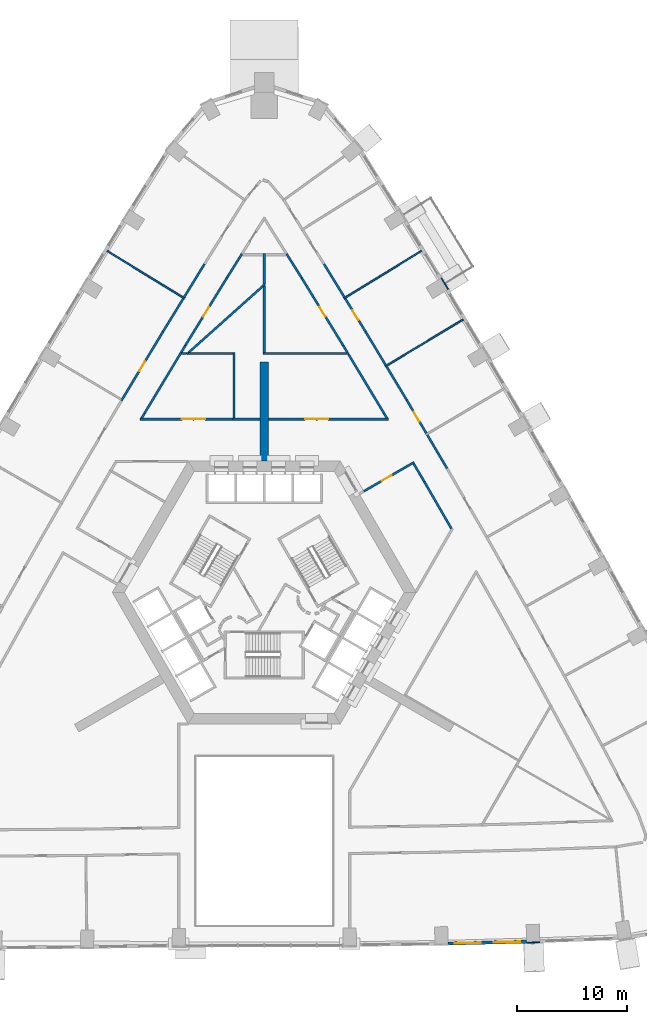
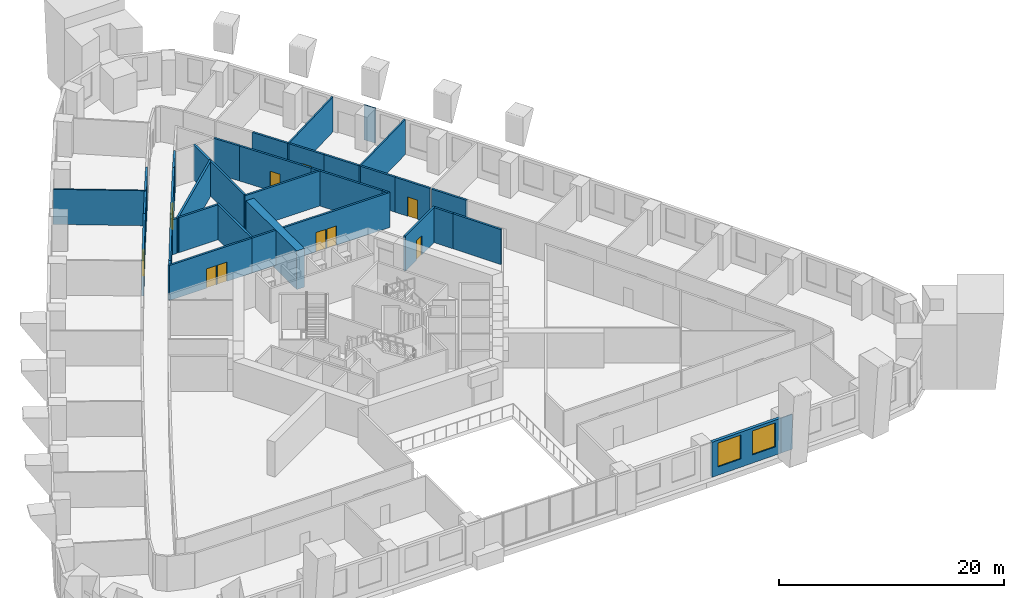
# One storey, part 9 of 17: 39 walls, 10 doors, 2 windows, 12 openings.
"""IFC4 building model written with IfcOpenShell, lengths in metres."""

from ifc_helpers import new_model, si_unit, direction, frame, frame_2d, origin, place, context, subcontext, project, spatial, rectangle, extrude, material, layer, layer_set, type_object, element, fill, save


model = new_model("IFC4")

# Units and contexts
model_context = context("Model", 3, precision=1e-05, world=origin(), true_north=direction((0.0, 1.0)))
body_context = subcontext(model_context, "Body", "Model", "MODEL_VIEW")
ifc_project = project(units=[si_unit("LENGTHUNIT", "METRE"), si_unit("AREAUNIT", "SQUARE_METRE"), si_unit("VOLUMEUNIT", "CUBIC_METRE"), si_unit("PLANEANGLEUNIT", "RADIAN"), si_unit("MASSUNIT", "GRAM", prefix="KILO")], contexts=[model_context])

# Site, building, storey
site_placement = place(None, origin())
site = spatial("IfcSite", under=ifc_project, at=site_placement, CompositionType="ELEMENT")
building_placement = place(site_placement, origin())
building = spatial("IfcBuilding", under=site, at=building_placement, Name="Entoto Arch Interchange Tower", CompositionType="ELEMENT")
storey_placement = place(building_placement, frame((0.0, 0.0, 72.800048828125)))
storey = spatial("IfcBuildingStorey", under=building, at=storey_placement, Name="L15", CompositionType="ELEMENT", Elevation=72.800048828125)

# Walls
ifc_material_1 = material(Name="Concrete C60/75", Category="concrete")
ifc_layer_1 = layer(ifc_material_1, 0.800048828125)
ifc_layer_set_1 = layer_set([ifc_layer_1], Name="Concrete C60/75")
wall_type_1 = type_object("IfcWallType", Name="Buttress wall 800 C60/75", PredefinedType="SHEAR", material=ifc_layer_set_1)
wall_1_placement = place(storey_placement, frame((0.0, 14.5, -0.400146484375), z_axis=(0.0, 0.0, 1.0), x_axis=(0.0, 1.0, 0.0)))
element("IfcWall", 1, at=wall_1_placement, inside=storey, type_object=wall_type_1, Name="Buttress wall N L15", PredefinedType="SHEAR", context=body_context, shape_type="SweptSolid", body=[
    extrude(rectangle(XDim=9.0, YDim=0.800048828125, at=frame_2d((4.5, 0.0))), origin(), (0.0, 0.0, 1.0), 4.2001953125),
])
ifc_material_2 = material(Name="Gypsum board partition on steel studs", Category="steel")
ifc_layer_2 = layer(ifc_material_2, 0.14990234375)
ifc_layer_set_2 = layer_set([ifc_layer_2], Name="Gypsum board partition on steel studs")
wall_type_2 = type_object("IfcWallType", Name="PARTITION 150", PredefinedType="PARTITIONING", material=ifc_layer_set_2)
wall_2_placement = place(storey_placement, frame((11.031005859375, 23.113037109375, 0.0), z_axis=(0.0, 0.0, 1.0), x_axis=(0.856780947164, 0.515680529568, 0.0)))
element("IfcWall", 2, at=wall_2_placement, inside=storey, type_object=wall_type_2, Name="wall:L15:p138", PredefinedType="PARTITIONING", context=body_context, shape_type="SweptSolid", body=[
    extrude(rectangle(XDim=8.2998046875, YDim=0.14990234375, at=frame_2d((4.14990234375, 0.0))), origin(), (0.0, 0.0, 1.0), 3.800048828125),
])
for number, where, z_axis, x_axis, name in (
    (3, (7.262939453125, 29.31005859375, 0.0), (0.0, 0.0, 1.0), (0.85208929269, 0.523396443706, 0.0), "wall:L15:p139"),
    (4, (-7.262939453125, 29.31005859375, 0.0), (0.0, 0.0, 1.0), (-0.85208929269, 0.523396443706, 0.0), "wall:L15:p143"),
):
    element("IfcWall", number, at=place(storey_placement, frame(where, z_axis=z_axis, x_axis=x_axis)), inside=storey, type_object=wall_type_2, Name=name, PredefinedType="PARTITIONING", context=body_context, shape_type="SweptSolid", body=[
        extrude(rectangle(XDim=8.299560546875, YDim=0.14990234375, at=frame_2d((4.14990234375, 0.0))), origin(), (0.0, 0.0, 1.0), 3.800048828125),
    ])
ifc_layer_3 = layer(ifc_material_2, 0.199951171875)
ifc_layer_set_3 = layer_set([ifc_layer_3], Name="Gypsum board partition on steel studs")
wall_type_3 = type_object("IfcWallType", Name="PARTITION 200", PredefinedType="PARTITIONING", material=ifc_layer_set_3)
wall_3_placement = place(storey_placement, frame((17.06298828125, 8.327880859375, 0.0), z_axis=(0.0, 0.0, 1.0), x_axis=(-0.499986575203, 0.866033154456, 0.0)))
element("IfcWall", 5, at=wall_3_placement, inside=storey, type_object=wall_type_3, Name="wall:L15:p005", PredefinedType="PARTITIONING", context=body_context, shape_type="SweptSolid", body=[
    extrude(rectangle(XDim=4.934326171875, YDim=0.199951171875, at=frame_2d((2.46728515625, 0.0))), origin(), (0.0, 0.0, 1.0), 3.800048828125),
])
wall_4_placement = place(storey_placement, frame((14.595947265625, 12.60107421875, 0.0), z_axis=(0.0, 0.0, 1.0), x_axis=(-0.507547610008, 0.861623713447, 0.0)))
element("IfcWall", 6, at=wall_4_placement, inside=storey, type_object=wall_type_3, Name="wall:L15:p006", PredefinedType="PARTITIONING", context=body_context, shape_type="SweptSolid", body=[
    extrude(rectangle(XDim=1.90087890625, YDim=0.199951171875, at=frame_2d((0.950439453125, 0.0))), origin(), (0.0, 0.0, 1.0), 3.800048828125),
])

# Wall, opening, door
wall_5_placement = place(storey_placement, frame((13.6669921875, 14.375, 0.0), z_axis=(0.0, 0.0, 1.0), x_axis=(-0.866016748302, -0.500014991436, 0.0)))
wall_5 = element("IfcWall", 7, at=wall_5_placement, inside=storey, type_object=wall_type_3, Name="wall:L15:p007", PredefinedType="PARTITIONING", context=body_context, shape_type="SweptSolid", body=[
    extrude(rectangle(XDim=5.297607421875, YDim=0.199951171875, at=frame_2d((2.64892578125, 0.0))), origin(), (0.0, 0.0, 1.0), 3.800048828125),
])
opening_1_placement = place(wall_5_placement, frame((2.386962890625, 0.0, 0.0)))
opening_1 = element("IfcOpeningElement", 8, at=opening_1_placement, cuts=wall_5, Name="Opening L15-D32", PredefinedType="OPENING", context=body_context, shape_type="SweptSolid", body=[
    extrude(rectangle(XDim=1.0, YDim=2.10009765625, at=frame_2d((0.5, 1.050048828125))), frame((0.0, 0.10986328125, 0.0), z_axis=(0.0, -1.0, 0.0), x_axis=(1.0, 0.0, 0.0)), (0.0, 0.0, 1.0), 0.219970703125),
])
ifc_material_3 = material(Name="Timber door leaf in Steel S235 frame", Category="steel")
door_type = type_object("IfcDoorType", Name="DOOR DS-10 1000x2100", OperationType="SINGLE_SWING_LEFT", PredefinedType="DOOR", material=ifc_material_3)
door_1_placement = place(opening_1_placement, origin())
door_1 = element("IfcDoor", 9, at=door_1_placement, inside=storey, type_object=door_type, Name="door:L15:32", OperationType="SINGLE_SWING_LEFT", OverallHeight=2.10009765625, OverallWidth=1.0, PredefinedType="DOOR", context=body_context, shape_type="SweptSolid", body=[
    extrude(rectangle(XDim=1.0, YDim=2.10009765625, at=frame_2d((0.5, 1.050048828125))), frame((0.0, 0.02490234375, 0.0), z_axis=(0.0, -1.0, 0.0), x_axis=(1.0, 0.0, 0.0)), (0.0, 0.0, 1.0), 0.050048828125),
])
fill(opening_1, door_1)

# Walls
wall_6_placement = place(storey_placement, frame((11.18603515625, 18.385986328125, 0.0), z_axis=(0.0, 0.0, 1.0), x_axis=(-0.507247363226, 0.861800506208, 0.0)))
element("IfcWall", 10, at=wall_6_placement, inside=storey, type_object=wall_type_3, Name="wall:L15:p008", PredefinedType="PARTITIONING", context=body_context, shape_type="SweptSolid", body=[
    extrude(rectangle(XDim=0.516357421875, YDim=0.199951171875, at=frame_2d((0.25830078125, 0.0))), origin(), (0.0, 0.0, 1.0), 3.800048828125),
])
wall_7_placement = place(storey_placement, frame((10.924072265625, 18.8310546875, 0.0), z_axis=(0.0, 0.0, 1.0), x_axis=(-0.515797941416, 0.856710268195, 0.0)))
element("IfcWall", 11, at=wall_7_placement, inside=storey, type_object=wall_type_3, Name="wall:L15:p009", PredefinedType="PARTITIONING", context=body_context, shape_type="SweptSolid", body=[
    extrude(rectangle(XDim=6.283447265625, YDim=0.199951171875, at=frame_2d((3.1416015625, 0.0))), origin(), (0.0, 0.0, 1.0), 3.800048828125),
])
wall_8_placement = place(storey_placement, frame((-7.580078125, 24.385986328125, 0.0), z_axis=(0.0, 0.0, 1.0), x_axis=(-0.51574664882, -0.85674114774, 0.0)))
element("IfcWall", 12, at=wall_8_placement, inside=storey, type_object=wall_type_3, Name="wall:L15:p010", PredefinedType="PARTITIONING", context=body_context, shape_type="SweptSolid", body=[
    extrude(rectangle(XDim=6.48388671875, YDim=0.199951171875, at=frame_2d((3.241943359375, 0.0))), origin(), (0.0, 0.0, 1.0), 3.800048828125),
])
wall_9_placement = place(storey_placement, frame((-10.924072265625, 18.8310546875, 0.0), z_axis=(0.0, 0.0, 1.0), x_axis=(-0.507247363226, -0.861800506208, 0.0)))
element("IfcWall", 13, at=wall_9_placement, inside=storey, type_object=wall_type_3, Name="wall:L15:p011", PredefinedType="PARTITIONING", context=body_context, shape_type="SweptSolid", body=[
    extrude(rectangle(XDim=0.516357421875, YDim=0.199951171875, at=frame_2d((0.25830078125, 0.0))), origin(), (0.0, 0.0, 1.0), 3.800048828125),
])
wall_10_placement = place(storey_placement, frame((7.580078125, 24.385986328125, 0.0), z_axis=(0.0, 0.0, 1.0), x_axis=(-0.515748848873, 0.856739823334, 0.0)))
element("IfcWall", 14, at=wall_10_placement, inside=storey, type_object=wall_type_3, Name="wall:L15:p012", PredefinedType="PARTITIONING", context=body_context, shape_type="SweptSolid", body=[
    extrude(rectangle(XDim=0.74462890625, YDim=0.199951171875, at=frame_2d((0.372314453125, 0.0))), origin(), (0.0, 0.0, 1.0), 3.800048828125),
])

# Wall, opening, door
wall_11_placement = place(storey_placement, frame((7.196044921875, 25.02392578125, 0.0), z_axis=(0.0, 0.0, 1.0), x_axis=(-0.523464329994, 0.852047589765, 0.0)))
wall_11 = element("IfcWall", 15, at=wall_11_placement, inside=storey, type_object=wall_type_3, Name="wall:L15:p013", PredefinedType="PARTITIONING", context=body_context, shape_type="SweptSolid", body=[
    extrude(rectangle(XDim=7.23095703125, YDim=0.199951171875, at=frame_2d((3.615478515625, 0.0))), origin(), (0.0, 0.0, 1.0), 3.800048828125),
])
opening_2_placement = place(wall_11_placement, frame((3.114990234375, 0.0, 0.0)))
opening_2 = element("IfcOpeningElement", 16, at=opening_2_placement, cuts=wall_11, Name="Opening L15-D26", PredefinedType="OPENING", context=body_context, shape_type="SweptSolid", body=[
    extrude(rectangle(XDim=1.0, YDim=2.10009765625, at=frame_2d((0.5, 1.050048828125))), frame((0.0, 0.10986328125, 0.0), z_axis=(0.0, -1.0, 0.0), x_axis=(1.0, 0.0, 0.0)), (0.0, 0.0, 1.0), 0.219970703125),
])
door_2_placement = place(opening_2_placement, origin())
door_2 = element("IfcDoor", 17, at=door_2_placement, inside=storey, type_object=door_type, Name="door:L15:26", OperationType="SINGLE_SWING_LEFT", OverallHeight=2.10009765625, OverallWidth=1.0, PredefinedType="DOOR", context=body_context, shape_type="SweptSolid", body=[
    extrude(rectangle(XDim=1.0, YDim=2.10009765625, at=frame_2d((0.5, 1.050048828125))), frame((0.0, 0.02490234375, 0.0), z_axis=(0.0, -1.0, 0.0), x_axis=(1.0, 0.0, 0.0)), (0.0, 0.0, 1.0), 0.050048828125),
])
fill(opening_2, door_2)

# Walls
for number, where, z_axis, x_axis, name in (
    (18, (3.410888671875, 31.18505859375, 0.0), (0.0, 0.0, 1.0), (-0.531358798686, 0.84714687455, 0.0), "wall:L15:p014"),
    (19, (-2.031005859375, 33.385009765625, 0.0), (0.0, 0.0, 1.0), (-0.531358798686, -0.84714687455, 0.0), "wall:L15:p015"),
):
    element("IfcWall", number, at=place(storey_placement, frame(where, z_axis=z_axis, x_axis=x_axis)), inside=storey, type_object=wall_type_3, Name=name, PredefinedType="PARTITIONING", context=body_context, shape_type="SweptSolid", body=[
        extrude(rectangle(XDim=2.596923828125, YDim=0.199951171875, at=frame_2d((1.29833984375, 0.0))), origin(), (0.0, 0.0, 1.0), 3.800048828125),
    ])

# Wall, opening, door
wall_12_placement = place(storey_placement, frame((-3.410888671875, 31.18505859375, 0.0), z_axis=(0.0, 0.0, 1.0), x_axis=(-0.523464329994, -0.852047589765, 0.0)))
wall_12 = element("IfcWall", 20, at=wall_12_placement, inside=storey, type_object=wall_type_3, Name="wall:L15:p016", PredefinedType="PARTITIONING", context=body_context, shape_type="SweptSolid", body=[
    extrude(rectangle(XDim=7.23095703125, YDim=0.199951171875, at=frame_2d((3.615478515625, 0.0))), origin(), (0.0, 0.0, 1.0), 3.800048828125),
])
opening_3_placement = place(wall_12_placement, frame((3.114990234375, 0.0, 0.0)))
opening_3 = element("IfcOpeningElement", 21, at=opening_3_placement, cuts=wall_12, Name="Opening L15-D27", PredefinedType="OPENING", context=body_context, shape_type="SweptSolid", body=[
    extrude(rectangle(XDim=1.0, YDim=2.10009765625, at=frame_2d((0.5, 1.050048828125))), frame((0.0, 0.10986328125, 0.0), z_axis=(0.0, -1.0, 0.0), x_axis=(1.0, 0.0, 0.0)), (0.0, 0.0, 1.0), 0.219970703125),
])
door_3_placement = place(opening_3_placement, origin())
door_3 = element("IfcDoor", 22, at=door_3_placement, inside=storey, type_object=door_type, Name="door:L15:27", OperationType="SINGLE_SWING_LEFT", OverallHeight=2.10009765625, OverallWidth=1.0, PredefinedType="DOOR", context=body_context, shape_type="SweptSolid", body=[
    extrude(rectangle(XDim=1.0, YDim=2.10009765625, at=frame_2d((0.5, 1.050048828125))), frame((0.0, 0.02490234375, 0.0), z_axis=(0.0, -1.0, 0.0), x_axis=(1.0, 0.0, 0.0)), (0.0, 0.0, 1.0), 0.050048828125),
])
fill(opening_3, door_3)

# Walls
wall_13_placement = place(storey_placement, frame((-7.196044921875, 25.02392578125, 0.0), z_axis=(0.0, 0.0, 1.0), x_axis=(-0.515748848873, -0.856739823334, 0.0)))
element("IfcWall", 23, at=wall_13_placement, inside=storey, type_object=wall_type_3, Name="wall:L15:p017", PredefinedType="PARTITIONING", context=body_context, shape_type="SweptSolid", body=[
    extrude(rectangle(XDim=0.74462890625, YDim=0.199951171875, at=frame_2d((0.372314453125, 0.0))), origin(), (0.0, 0.0, 1.0), 3.800048828125),
])
wall_14_placement = place(storey_placement, frame((14.864990234375, 16.87109375, 0.0), z_axis=(0.0, 0.0, 1.0), x_axis=(0.507839876831, -0.861451484125, 0.0)))
element("IfcWall", 24, at=wall_14_placement, inside=storey, type_object=wall_type_3, Name="wall:L15:p048", PredefinedType="PARTITIONING", context=body_context, shape_type="SweptSolid", body=[
    extrude(rectangle(XDim=3.55224609375, YDim=0.199951171875, at=frame_2d((1.776123046875, 0.0))), origin(), (0.0, 0.0, 1.0), 3.800048828125),
])
wall_15_placement = place(storey_placement, frame((11.156005859375, 23.10009765625, 0.0), z_axis=(0.0, 0.0, 1.0), x_axis=(0.515628270719, -0.856812398623, 0.0)))
element("IfcWall", 25, at=wall_15_placement, inside=storey, type_object=wall_type_3, Name="wall:L15:p050", PredefinedType="PARTITIONING", context=body_context, shape_type="SweptSolid", body=[
    extrude(rectangle(XDim=3.54931640625, YDim=0.199951171875, at=frame_2d((1.774658203125, 0.0))), origin(), (0.0, 0.0, 1.0), 3.800048828125),
])

# Wall, opening, door
wall_16_placement = place(storey_placement, frame((12.986083984375, 20.05908203125, 0.0), z_axis=(0.0, 0.0, 1.0), x_axis=(0.507876424268, -0.861429937762, 0.0)))
wall_16 = element("IfcWall", 26, at=wall_16_placement, inside=storey, type_object=wall_type_3, Name="wall:L15:p051", PredefinedType="PARTITIONING", context=body_context, shape_type="SweptSolid", body=[
    extrude(rectangle(XDim=3.550048828125, YDim=0.199951171875, at=frame_2d((1.77490234375, 0.0))), origin(), (0.0, 0.0, 1.0), 3.800048828125),
])
opening_4_placement = place(wall_16_placement, frame((1.27490234375, 0.0, 0.0)))
opening_4 = element("IfcOpeningElement", 27, at=opening_4_placement, cuts=wall_16, Name="Opening L15-D07", PredefinedType="OPENING", context=body_context, shape_type="SweptSolid", body=[
    extrude(rectangle(XDim=1.0, YDim=2.10009765625, at=frame_2d((0.5, 1.050048828125))), frame((0.0, 0.10986328125, 0.0), z_axis=(0.0, -1.0, 0.0), x_axis=(1.0, 0.0, 0.0)), (0.0, 0.0, 1.0), 0.219970703125),
])
door_4_placement = place(opening_4_placement, origin())
door_4 = element("IfcDoor", 28, at=door_4_placement, inside=storey, type_object=door_type, Name="door:L15:07", OperationType="SINGLE_SWING_RIGHT", OverallHeight=2.10009765625, OverallWidth=1.0, PredefinedType="DOOR", context=body_context, shape_type="SweptSolid", body=[
    extrude(rectangle(XDim=1.0, YDim=2.10009765625, at=frame_2d((0.5, 1.050048828125))), frame((0.0, 0.02490234375, 0.0), z_axis=(0.0, -1.0, 0.0), x_axis=(1.0, 0.0, 0.0)), (0.0, 0.0, 1.0), 0.050048828125),
])
fill(opening_4, door_4)

wall_17_placement = place(storey_placement, frame((7.386962890625, 29.298095703125, 0.0), z_axis=(0.0, 0.0, 1.0), x_axis=(0.523341833043, -0.852122834917, 0.0)))
wall_17 = element("IfcWall", 29, at=wall_17_placement, inside=storey, type_object=wall_type_3, Name="wall:L15:p052", PredefinedType="PARTITIONING", context=body_context, shape_type="SweptSolid", body=[
    extrude(rectangle(XDim=3.552490234375, YDim=0.199951171875, at=frame_2d((1.7763671875, 0.0))), origin(), (0.0, 0.0, 1.0), 3.800048828125),
])
opening_5_placement = place(wall_17_placement, frame((1.27587890625, 0.0, 0.0)))
opening_5 = element("IfcOpeningElement", 30, at=opening_5_placement, cuts=wall_17, Name="Opening L15-D08", PredefinedType="OPENING", context=body_context, shape_type="SweptSolid", body=[
    extrude(rectangle(XDim=1.0, YDim=2.10009765625, at=frame_2d((0.5, 1.050048828125))), frame((0.0, 0.10986328125, 0.0), z_axis=(0.0, -1.0, 0.0), x_axis=(1.0, 0.0, 0.0)), (0.0, 0.0, 1.0), 0.219970703125),
])
door_5_placement = place(opening_5_placement, origin())
door_5 = element("IfcDoor", 31, at=door_5_placement, inside=storey, type_object=door_type, Name="door:L15:08", OperationType="SINGLE_SWING_RIGHT", OverallHeight=2.10009765625, OverallWidth=1.0, PredefinedType="DOOR", context=body_context, shape_type="SweptSolid", body=[
    extrude(rectangle(XDim=1.0, YDim=2.10009765625, at=frame_2d((0.5, 1.050048828125))), frame((0.0, 0.02490234375, 0.0), z_axis=(0.0, -1.0, 0.0), x_axis=(1.0, 0.0, 0.0)), (0.0, 0.0, 1.0), 0.050048828125),
])
fill(opening_5, door_5)

# Walls
wall_18_placement = place(storey_placement, frame((9.24609375, 26.27099609375, 0.0), z_axis=(0.0, 0.0, 1.0), x_axis=(0.515738557296, -0.856746018677, 0.0)))
element("IfcWall", 32, at=wall_18_placement, inside=storey, type_object=wall_type_3, Name="wall:L15:p053", PredefinedType="PARTITIONING", context=body_context, shape_type="SweptSolid", body=[
    extrude(rectangle(XDim=3.5517578125, YDim=0.199951171875, at=frame_2d((1.77587890625, 0.0))), origin(), (0.0, 0.0, 1.0), 3.800048828125),
])
for number, where, z_axis, x_axis, name in (
    (33, (5.449951171875, 32.450927734375, 0.0), (0.0, 0.0, 1.0), (0.523617783711, -0.851953294836, 0.0), "wall:L15:p055"),
    (34, (-7.30908203125, 29.426025390625, 0.0), (0.0, 0.0, 1.0), (0.523617783711, 0.851953294836, 0.0), "wall:L15:p060"),
):
    element("IfcWall", number, at=place(storey_placement, frame(where, z_axis=z_axis, x_axis=x_axis)), inside=storey, type_object=wall_type_3, Name=name, PredefinedType="PARTITIONING", context=body_context, shape_type="SweptSolid", body=[
        extrude(rectangle(XDim=3.550537109375, YDim=0.199951171875, at=frame_2d((1.775390625, 0.0))), origin(), (0.0, 0.0, 1.0), 3.800048828125),
    ])

# Wall, opening, door
wall_19_placement = place(storey_placement, frame((-13.02490234375, 19.9951171875, 0.0), z_axis=(0.0, 0.0, 1.0), x_axis=(0.515828195336, 0.856692052546, 0.0)))
wall_19 = element("IfcWall", 35, at=wall_19_placement, inside=storey, type_object=wall_type_3, Name="wall:L15:p062", PredefinedType="PARTITIONING", context=body_context, shape_type="SweptSolid", body=[
    extrude(rectangle(XDim=7.32568359375, YDim=0.199951171875, at=frame_2d((3.662841796875, 0.0))), origin(), (0.0, 0.0, 1.0), 3.800048828125),
])
opening_6_placement = place(wall_19_placement, frame((3.1630859375, 0.0, 0.0)))
opening_6 = element("IfcOpeningElement", 36, at=opening_6_placement, cuts=wall_19, Name="Opening L15-D13", PredefinedType="OPENING", context=body_context, shape_type="SweptSolid", body=[
    extrude(rectangle(XDim=1.0, YDim=2.10009765625, at=frame_2d((0.5, 1.050048828125))), frame((0.0, 0.10986328125, 0.0), z_axis=(0.0, -1.0, 0.0), x_axis=(1.0, 0.0, 0.0)), (0.0, 0.0, 1.0), 0.219970703125),
])
door_6_placement = place(opening_6_placement, origin())
door_6 = element("IfcDoor", 37, at=door_6_placement, inside=storey, type_object=door_type, Name="door:L15:13", OperationType="SINGLE_SWING_LEFT", OverallHeight=2.10009765625, OverallWidth=1.0, PredefinedType="DOOR", context=body_context, shape_type="SweptSolid", body=[
    extrude(rectangle(XDim=1.0, YDim=2.10009765625, at=frame_2d((0.5, 1.050048828125))), frame((0.0, 0.02490234375, 0.0), z_axis=(0.0, -1.0, 0.0), x_axis=(1.0, 0.0, 0.0)), (0.0, 0.0, 1.0), 0.050048828125),
])
fill(opening_6, door_6)

# Walls
wall_20_placement = place(storey_placement, frame((-9.24609375, 26.27099609375, 0.0), z_axis=(0.0, 0.0, 1.0), x_axis=(0.523341833043, 0.852122834917, 0.0)))
element("IfcWall", 38, at=wall_20_placement, inside=storey, type_object=wall_type_3, Name="wall:L15:p063", PredefinedType="PARTITIONING", context=body_context, shape_type="SweptSolid", body=[
    extrude(rectangle(XDim=3.552490234375, YDim=0.199951171875, at=frame_2d((1.7763671875, 0.0))), origin(), (0.0, 0.0, 1.0), 3.800048828125),
])
wall_21_placement = place(storey_placement, frame((-2.87109375, 18.300048828125, 0.0), z_axis=(0.0, 0.0, 1.0), x_axis=(1.0, 0.0, 0.0)))
element("IfcWall", 39, at=wall_21_placement, inside=storey, type_object=wall_type_3, Name="wall:L15:p114", PredefinedType="PARTITIONING", context=body_context, shape_type="SweptSolid", body=[
    extrude(rectangle(XDim=2.47119140625, YDim=0.199951171875, at=frame_2d((1.235595703125, 0.0))), origin(), (0.0, 0.0, 1.0), 3.800048828125),
])

# Wall, openings, doors
wall_22_placement = place(storey_placement, frame((-11.3369140625, 18.300048828125, 0.0), z_axis=(0.0, 0.0, 1.0), x_axis=(1.0, 0.0, 0.0)))
wall_22 = element("IfcWall", 40, at=wall_22_placement, inside=storey, type_object=wall_type_3, Name="wall:L15:p115", PredefinedType="PARTITIONING", context=body_context, shape_type="SweptSolid", body=[
    extrude(rectangle(XDim=8.4658203125, YDim=0.199951171875, at=frame_2d((4.23291015625, 0.0))), origin(), (0.0, 0.0, 1.0), 3.800048828125),
])
opening_7_placement = place(wall_22_placement, frame((3.8330078125, 0.0, 0.0)))
opening_7 = element("IfcOpeningElement", 41, at=opening_7_placement, cuts=wall_22, Name="Opening L15-D25", PredefinedType="OPENING", context=body_context, shape_type="SweptSolid", body=[
    extrude(rectangle(XDim=1.0, YDim=2.10009765625, at=frame_2d((0.5, 1.050048828125))), frame((0.0, 0.10986328125, 0.0), z_axis=(0.0, -1.0, 0.0), x_axis=(1.0, 0.0, 0.0)), (0.0, 0.0, 1.0), 0.219970703125),
])
opening_8_placement = place(wall_22_placement, frame((4.93310546875, 0.0, 0.0)))
opening_8 = element("IfcOpeningElement", 42, at=opening_8_placement, cuts=wall_22, Name="Opening L15-D38", PredefinedType="OPENING", context=body_context, shape_type="SweptSolid", body=[
    extrude(rectangle(XDim=1.0, YDim=2.10009765625, at=frame_2d((0.5, 1.050048828125))), frame((0.0, 0.10986328125, 0.0), z_axis=(0.0, -1.0, 0.0), x_axis=(1.0, 0.0, 0.0)), (0.0, 0.0, 1.0), 0.219970703125),
])
door_7_placement = place(opening_7_placement, origin())
door_7 = element("IfcDoor", 43, at=door_7_placement, inside=storey, type_object=door_type, Name="door:L15:25", OperationType="SINGLE_SWING_RIGHT", OverallHeight=2.10009765625, OverallWidth=1.0, PredefinedType="DOOR", context=body_context, shape_type="SweptSolid", body=[
    extrude(rectangle(XDim=1.0, YDim=2.10009765625, at=frame_2d((0.5, 1.050048828125))), frame((0.0, 0.02490234375, 0.0), z_axis=(0.0, -1.0, 0.0), x_axis=(1.0, 0.0, 0.0)), (0.0, 0.0, 1.0), 0.050048828125),
])
fill(opening_7, door_7)
door_8_placement = place(opening_8_placement, origin())
door_8 = element("IfcDoor", 44, at=door_8_placement, inside=storey, type_object=door_type, Name="door:L15:38", OperationType="SINGLE_SWING_RIGHT", OverallHeight=2.10009765625, OverallWidth=1.0, PredefinedType="DOOR", context=body_context, shape_type="SweptSolid", body=[
    extrude(rectangle(XDim=1.0, YDim=2.10009765625, at=frame_2d((0.5, 1.050048828125))), frame((0.0, 0.02490234375, 0.0), z_axis=(0.0, -1.0, 0.0), x_axis=(1.0, 0.0, 0.0)), (0.0, 0.0, 1.0), 0.050048828125),
])
fill(opening_8, door_8)

# Walls
wall_23_placement = place(storey_placement, frame((-2.77099609375, 18.39990234375, 0.0), z_axis=(0.0, 0.0, 1.0), x_axis=(0.0, 1.0, 0.0)))
element("IfcWall", 45, at=wall_23_placement, inside=storey, type_object=wall_type_3, Name="wall:L15:p118", PredefinedType="PARTITIONING", context=body_context, shape_type="SweptSolid", body=[
    extrude(rectangle(XDim=6.0, YDim=0.199951171875, at=frame_2d((3.0, 0.0))), origin(), (0.0, 0.0, 1.0), 3.800048828125),
])
wall_24_placement = place(storey_placement, frame((-2.87109375, 24.300048828125, 0.0), z_axis=(0.0, 0.0, 1.0), x_axis=(-1.0, 0.0, 0.0)))
element("IfcWall", 46, at=wall_24_placement, inside=storey, type_object=wall_type_3, Name="wall:L15:p119", PredefinedType="PARTITIONING", context=body_context, shape_type="SweptSolid", body=[
    extrude(rectangle(XDim=4.02001953125, YDim=0.199951171875, at=frame_2d((2.010009765625, 0.0))), origin(), (0.0, 0.0, 1.0), 3.800048828125),
])
wall_25_placement = place(storey_placement, frame((0.0, 30.451904296875, 0.0), z_axis=(0.0, 0.0, 1.0), x_axis=(0.0, -1.0, 0.0)))
element("IfcWall", 47, at=wall_25_placement, inside=storey, type_object=wall_type_3, Name="wall:L15:p120", PredefinedType="PARTITIONING", context=body_context, shape_type="SweptSolid", body=[
    extrude(rectangle(XDim=6.052001953125, YDim=0.199951171875, at=frame_2d((3.02587890625, 0.0))), origin(), (0.0, 0.0, 1.0), 3.800048828125),
])
wall_26_placement = place(storey_placement, frame((-0.10009765625, 24.300048828125, 0.0), z_axis=(0.0, 0.0, 1.0), x_axis=(1.0, 0.0, 0.0)))
element("IfcWall", 48, at=wall_26_placement, inside=storey, type_object=wall_type_3, Name="wall:L15:p121", PredefinedType="PARTITIONING", context=body_context, shape_type="SweptSolid", body=[
    extrude(rectangle(XDim=7.83203125, YDim=0.199951171875, at=frame_2d((3.916015625, 0.0))), origin(), (0.0, 0.0, 1.0), 3.800048828125),
])
wall_27_placement = place(storey_placement, frame((-7.06494140625, 24.23291015625, 0.0), z_axis=(0.0, 0.0, 1.0), x_axis=(0.745362618546, 0.666659258448, 0.0)))
element("IfcWall", 49, at=wall_27_placement, inside=storey, type_object=wall_type_3, Name="wall:L15:p122", PredefinedType="PARTITIONING", context=body_context, shape_type="SweptSolid", body=[
    extrude(rectangle(XDim=9.5791015625, YDim=0.199951171875, at=frame_2d((4.78955078125, 0.0))), origin(), (0.0, 0.0, 1.0), 3.800048828125),
])
wall_28_placement = place(storey_placement, frame((-7.531982421875, 24.300048828125, 0.0), z_axis=(0.0, 0.0, 1.0), x_axis=(1.0, 0.0, 0.0)))
element("IfcWall", 50, at=wall_28_placement, inside=storey, type_object=wall_type_3, Name="wall:L15:p123", PredefinedType="PARTITIONING", context=body_context, shape_type="SweptSolid", body=[
    extrude(rectangle(XDim=0.44091796875, YDim=0.199951171875, at=frame_2d((0.220458984375, 0.0))), origin(), (0.0, 0.0, 1.0), 3.800048828125),
])
wall_29_placement = place(storey_placement, frame((0.0, 30.652099609375, 0.0), z_axis=(0.0, 0.0, 1.0), x_axis=(0.0, 1.0, 0.0)))
element("IfcWall", 51, at=wall_29_placement, inside=storey, type_object=wall_type_3, Name="wall:L15:p124", PredefinedType="PARTITIONING", context=body_context, shape_type="SweptSolid", body=[
    extrude(rectangle(XDim=2.747802734375, YDim=0.199951171875, at=frame_2d((1.3740234375, 0.0))), origin(), (0.0, 0.0, 1.0), 3.800048828125),
])

# Wall, openings, doors
wall_30_placement = place(storey_placement, frame((0.39990234375, 18.300048828125, 0.0), z_axis=(0.0, 0.0, 1.0), x_axis=(1.0, 0.0, 0.0)))
wall_30 = element("IfcWall", 52, at=wall_30_placement, inside=storey, type_object=wall_type_3, Name="wall:L15:p114", PredefinedType="PARTITIONING", context=body_context, shape_type="SweptSolid", body=[
    extrude(rectangle(XDim=10.93701171875, YDim=0.199951171875, at=frame_2d((5.468505859375, 0.0))), origin(), (0.0, 0.0, 1.0), 3.800048828125),
])
opening_9_placement = place(wall_30_placement, frame((3.3330078125, 0.0, 0.0)))
opening_9 = element("IfcOpeningElement", 53, at=opening_9_placement, cuts=wall_30, Name="Opening L15-D24", PredefinedType="OPENING", context=body_context, shape_type="SweptSolid", body=[
    extrude(rectangle(XDim=1.0, YDim=2.10009765625, at=frame_2d((0.5, 1.050048828125))), frame((0.0, 0.10986328125, 0.0), z_axis=(0.0, -1.0, 0.0), x_axis=(1.0, 0.0, 0.0)), (0.0, 0.0, 1.0), 0.219970703125),
])
opening_10_placement = place(wall_30_placement, frame((4.43310546875, 0.0, 0.0)))
opening_10 = element("IfcOpeningElement", 54, at=opening_10_placement, cuts=wall_30, Name="Opening L15-D37", PredefinedType="OPENING", context=body_context, shape_type="SweptSolid", body=[
    extrude(rectangle(XDim=1.0, YDim=2.10009765625, at=frame_2d((0.5, 1.050048828125))), frame((0.0, 0.10986328125, 0.0), z_axis=(0.0, -1.0, 0.0), x_axis=(1.0, 0.0, 0.0)), (0.0, 0.0, 1.0), 0.219970703125),
])
door_9_placement = place(opening_9_placement, origin())
door_9 = element("IfcDoor", 55, at=door_9_placement, inside=storey, type_object=door_type, Name="door:L15:24", OperationType="SINGLE_SWING_LEFT", OverallHeight=2.10009765625, OverallWidth=1.0, PredefinedType="DOOR", context=body_context, shape_type="SweptSolid", body=[
    extrude(rectangle(XDim=1.0, YDim=2.10009765625, at=frame_2d((0.5, 1.050048828125))), frame((0.0, 0.02490234375, 0.0), z_axis=(0.0, -1.0, 0.0), x_axis=(1.0, 0.0, 0.0)), (0.0, 0.0, 1.0), 0.050048828125),
])
fill(opening_9, door_9)
door_10_placement = place(opening_10_placement, origin())
door_10 = element("IfcDoor", 56, at=door_10_placement, inside=storey, type_object=door_type, Name="door:L15:37", OperationType="SINGLE_SWING_RIGHT", OverallHeight=2.10009765625, OverallWidth=1.0, PredefinedType="DOOR", context=body_context, shape_type="SweptSolid", body=[
    extrude(rectangle(XDim=1.0, YDim=2.10009765625, at=frame_2d((0.5, 1.050048828125))), frame((0.0, 0.02490234375, 0.0), z_axis=(0.0, -1.0, 0.0), x_axis=(1.0, 0.0, 0.0)), (0.0, 0.0, 1.0), 0.050048828125),
])
fill(opening_10, door_10)

# Wall, openings, windows
ifc_material_4 = material(Name="Welded tuff (ignimbrite) cladding, warm buff", Category="masonry")
ifc_layer_4 = layer(ifc_material_4, 0.300048828125)
ifc_layer_set_4 = layer_set([ifc_layer_4], Name="Welded tuff (ignimbrite) cladding, warm buff")
wall_type_4 = type_object("IfcWallType", Name="STONE INFILL WALL 300", PredefinedType="STANDARD", material=ifc_layer_set_4)
wall_31_placement = place(storey_placement, frame((16.764892578125, -29.52197265625, 0.0), z_axis=(0.0, 0.0, 1.0), x_axis=(0.999681944744, 0.025219225856, 0.0)))
wall_31 = element("IfcWall", 57, at=wall_31_placement, inside=storey, type_object=wall_type_4, Name="Facade wall S-06 L15", PredefinedType="STANDARD", context=body_context, shape_type="SweptSolid", body=[
    extrude(rectangle(XDim=7.17333984375, YDim=0.300048828125, at=frame_2d((3.586669921875, 0.0))), origin(), (0.0, 0.0, 1.0), 3.800048828125),
])
opening_11_placement = place(wall_31_placement, frame((0.593017578125, 0.0, 0.89990234375)))
opening_11 = element("IfcOpeningElement", 58, at=opening_11_placement, cuts=wall_31, Name="Opening WO-A", PredefinedType="OPENING", context=body_context, shape_type="SweptSolid", body=[
    extrude(rectangle(XDim=2.39990234375, YDim=2.60009765625, at=frame_2d((1.199951171875, 1.300048828125))), frame((0.0, 0.16015625, 0.0), z_axis=(0.0, -1.0, 0.0), x_axis=(1.0, 0.0, 0.0)), (0.0, 0.0, 1.0), 0.320068359375),
])
opening_12_placement = place(wall_31_placement, frame((4.179931640625, 0.0, 0.89990234375)))
opening_12 = element("IfcOpeningElement", 59, at=opening_12_placement, cuts=wall_31, Name="Opening WO-A", PredefinedType="OPENING", context=body_context, shape_type="SweptSolid", body=[
    extrude(rectangle(XDim=2.39990234375, YDim=2.60009765625, at=frame_2d((1.199951171875, 1.300048828125))), frame((0.0, 0.16015625, 0.0), z_axis=(0.0, -1.0, 0.0), x_axis=(1.0, 0.0, 0.0)), (0.0, 0.0, 1.0), 0.320068359375),
])
ifc_material_5 = material(Name="Clear glass, low-e double glazed", Category="glass")
window_type = type_object("IfcWindowType", Name="WINDOW WO-A 2400x2600", PartitioningType="DOUBLE_PANEL_VERTICAL", PredefinedType="WINDOW", material=ifc_material_5)
window_1_placement = place(opening_11_placement, origin())
window_1 = element("IfcWindow", 60, at=window_1_placement, inside=storey, type_object=window_type, Name="Window WO-A S-06 L15", OverallHeight=2.60009765625, OverallWidth=2.39990234375, PartitioningType="SINGLE_PANEL", PredefinedType="WINDOW", context=body_context, shape_type="SweptSolid", body=[
    extrude(rectangle(XDim=2.39990234375, YDim=2.60009765625, at=frame_2d((1.199951171875, 1.300048828125))), frame((0.0, 0.030029296875, 0.0), z_axis=(0.0, -1.0, 0.0), x_axis=(1.0, 0.0, 0.0)), (0.0, 0.0, 1.0), 0.06005859375),
])
fill(opening_11, window_1)
window_2_placement = place(opening_12_placement, origin())
window_2 = element("IfcWindow", 61, at=window_2_placement, inside=storey, type_object=window_type, Name="Window WO-A S-06 L15", OverallHeight=2.60009765625, OverallWidth=2.39990234375, PartitioningType="SINGLE_PANEL", PredefinedType="WINDOW", context=body_context, shape_type="SweptSolid", body=[
    extrude(rectangle(XDim=2.39990234375, YDim=2.60009765625, at=frame_2d((1.199951171875, 1.300048828125))), frame((0.0, 0.030029296875, 0.0), z_axis=(0.0, -1.0, 0.0), x_axis=(1.0, 0.0, 0.0)), (0.0, 0.0, 1.0), 0.06005859375),
])
fill(opening_12, window_2)

# Walls
ifc_layer_5 = layer(ifc_material_4, 0.10009765625)
ifc_layer_set_5 = layer_set([ifc_layer_5], Name="Welded tuff (ignimbrite) cladding, warm buff")
wall_type_5 = type_object("IfcWallType", Name="STONE PIER CLADDING 100", PredefinedType="STANDARD", material=ifc_layer_set_5)
wall_32_placement = place(storey_placement, frame((16.779052734375, 30.14990234375, 0.0), z_axis=(0.0, 0.0, 1.0), x_axis=(-0.521507599072, 0.853246637327, 0.0)))
element("IfcWall", 62, at=wall_32_placement, inside=storey, type_object=wall_type_5, Name="Stone pier NE08 L15", PredefinedType="STANDARD", context=body_context, shape_type="SweptSolid", body=[
    extrude(rectangle(XDim=1.200439453125, YDim=0.10009765625, at=frame_2d((0.60009765625, 0.0))), origin(), (0.0, 0.0, 1.0), 3.800048828125),
])
wall_33_placement = place(storey_placement, frame((23.93896484375, -29.446044921875, 0.0), z_axis=(0.0, 0.0, 1.0), x_axis=(0.999442872267, 0.03337581573, 0.0)))
element("IfcWall", 63, at=wall_33_placement, inside=storey, type_object=wall_type_5, Name="Stone pier S07 L15", PredefinedType="STANDARD", context=body_context, shape_type="SweptSolid", body=[
    extrude(rectangle(XDim=1.19970703125, YDim=0.10009765625, at=frame_2d((0.599853515625, 0.0))), origin(), (0.0, 0.0, 1.0), 3.800048828125),
])

save(model, "model.ifc")
